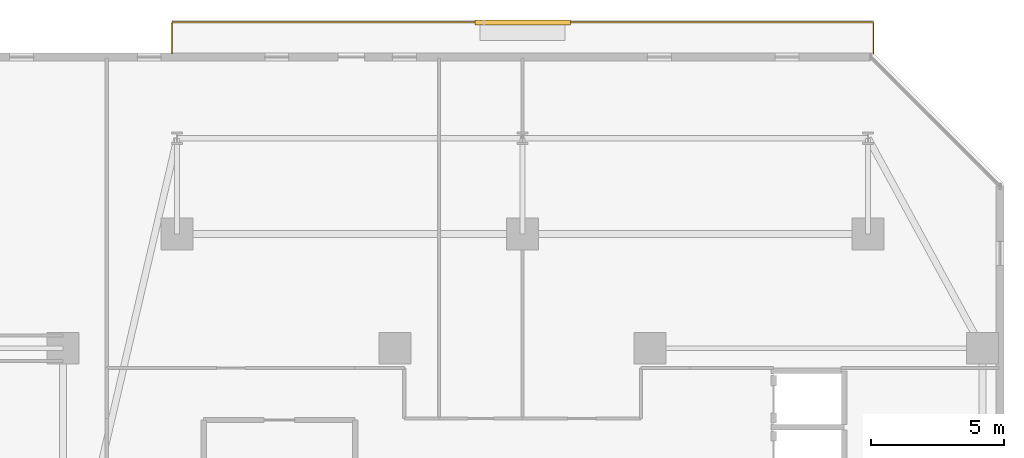
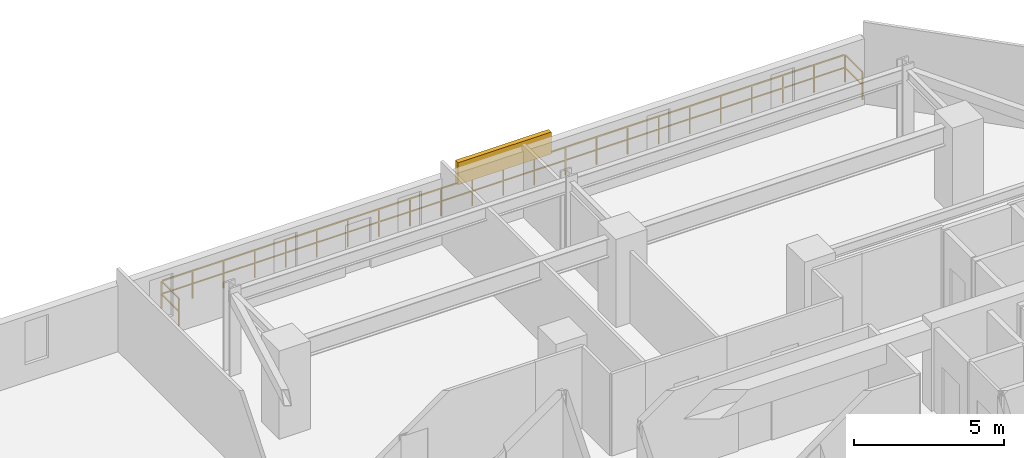
# One storey, part 31 of 31: 1 railing, 1 shading device.
"""IFC4 building model written with IfcOpenShell, lengths in metres."""

from ifc_helpers import new_model, si_unit, direction, frame, origin, origin_2d, place, context, subcontext, project, spatial, rectangle, extrude, material, type_object, element, save


model = new_model("IFC4")

# Units and contexts
model_context = context("Model", 3, precision=1e-05, world=origin(), true_north=direction((0.0, 1.0)))
body_context = subcontext(model_context, "Body", "Model", "MODEL_VIEW")
ifc_project = project(units=[si_unit("LENGTHUNIT", "METRE"), si_unit("AREAUNIT", "SQUARE_METRE"), si_unit("VOLUMEUNIT", "CUBIC_METRE"), si_unit("PLANEANGLEUNIT", "RADIAN"), si_unit("MASSUNIT", "GRAM", prefix="KILO")], contexts=[model_context])

# Site, building, storey
site_placement = place(None, origin())
site = spatial("IfcSite", under=ifc_project, at=site_placement, CompositionType="ELEMENT")
building_placement = place(site_placement, origin())
building = spatial("IfcBuilding", under=site, at=building_placement, Name="Thornwick Lancets Civic Towers", CompositionType="ELEMENT")
storey_placement = place(building_placement, frame((0.0, 0.0, 90.89990234375)))
storey = spatial("IfcBuildingStorey", under=building, at=storey_placement, Name="L23", CompositionType="ELEMENT", Elevation=90.89990234375)

# Railing
ifc_material_1 = material(Name="Terracotta-capped laminated glass balustrade S355", Category="masonry")
railing_type = type_object("IfcRailingType", Name="RAIL_TERR_GUARD", PredefinedType="GUARDRAIL", material=ifc_material_1)
railing_placement = place(storey_placement, frame((75.300048828125, 51.10009765625, 0.0)))
element("IfcRailing", 1, at=railing_placement, inside=storey, type_object=railing_type, Name="L23 Tower B Balcony Guard N", PredefinedType="GUARDRAIL", context=body_context, shape_type="SweptSolid", body=[
    extrude(rectangle(XDim=0.048095703125, YDim=0.048095703125, at=origin_2d()), frame((0.0, 0.0, 1.1259765625), z_axis=(0.0, 1.0, 0.0), x_axis=(-1.0, 0.0, 0.0)), (0.0, 0.0, 1.0), 1.138671875),
    extrude(rectangle(XDim=0.0419921875, YDim=0.0419921875, at=origin_2d()), frame((0.0, 0.03759765625, 0.597900390625), z_axis=(0.0, 1.0, 0.0), x_axis=(-1.0, 0.0, 0.0)), (0.0, 0.0, 1.0), 1.094970703125),
    extrude(rectangle(XDim=0.048095703125, YDim=0.048095703125, at=origin_2d()), frame((0.03125, 1.169921875, 1.1259765625), z_axis=(1.0, 0.0, 0.0), x_axis=(0.0, 1.0, 0.0)), (0.0, 0.0, 1.0), 26.33740234375),
    extrude(rectangle(XDim=0.0419921875, YDim=0.0419921875, at=origin_2d()), frame((0.03759765625, 1.169921875, 0.597900390625), z_axis=(1.0, 0.0, 0.0), x_axis=(0.0, 1.0, 0.0)), (0.0, 0.0, 1.0), 1.125),
    extrude(rectangle(XDim=0.0419921875, YDim=0.0419921875, at=origin_2d()), frame((1.237548828125, 1.169921875, 0.597900390625), z_axis=(1.0, 0.0, 0.0), x_axis=(0.0, 1.0, 0.0)), (0.0, 0.0, 1.0), 1.125),
    extrude(rectangle(XDim=0.0419921875, YDim=0.0419921875, at=origin_2d()), frame((2.4375, 1.169921875, 0.597900390625), z_axis=(1.0, 0.0, 0.0), x_axis=(0.0, 1.0, 0.0)), (0.0, 0.0, 1.0), 1.125),
    extrude(rectangle(XDim=0.0419921875, YDim=0.0419921875, at=origin_2d()), frame((3.637451171875, 1.169921875, 0.597900390625), z_axis=(1.0, 0.0, 0.0), x_axis=(0.0, 1.0, 0.0)), (0.0, 0.0, 1.0), 1.125),
    extrude(rectangle(XDim=0.0419921875, YDim=0.0419921875, at=origin_2d()), frame((4.83740234375, 1.169921875, 0.597900390625), z_axis=(1.0, 0.0, 0.0), x_axis=(0.0, 1.0, 0.0)), (0.0, 0.0, 1.0), 1.125),
    extrude(rectangle(XDim=0.0419921875, YDim=0.0419921875, at=origin_2d()), frame((6.037353515625, 1.169921875, 0.597900390625), z_axis=(1.0, 0.0, 0.0), x_axis=(0.0, 1.0, 0.0)), (0.0, 0.0, 1.0), 1.125),
    extrude(rectangle(XDim=0.0419921875, YDim=0.0419921875, at=origin_2d()), frame((7.237548828125, 1.169921875, 0.597900390625), z_axis=(1.0, 0.0, 0.0), x_axis=(0.0, 1.0, 0.0)), (0.0, 0.0, 1.0), 1.125),
    extrude(rectangle(XDim=0.0419921875, YDim=0.0419921875, at=origin_2d()), frame((8.4375, 1.169921875, 0.597900390625), z_axis=(1.0, 0.0, 0.0), x_axis=(0.0, 1.0, 0.0)), (0.0, 0.0, 1.0), 1.125),
    extrude(rectangle(XDim=0.0419921875, YDim=0.0419921875, at=origin_2d()), frame((9.637451171875, 1.169921875, 0.597900390625), z_axis=(1.0, 0.0, 0.0), x_axis=(0.0, 1.0, 0.0)), (0.0, 0.0, 1.0), 1.125),
    extrude(rectangle(XDim=0.0419921875, YDim=0.0419921875, at=origin_2d()), frame((10.83740234375, 1.169921875, 0.597900390625), z_axis=(1.0, 0.0, 0.0), x_axis=(0.0, 1.0, 0.0)), (0.0, 0.0, 1.0), 1.125),
    extrude(rectangle(XDim=0.0419921875, YDim=0.0419921875, at=origin_2d()), frame((12.037353515625, 1.169921875, 0.597900390625), z_axis=(1.0, 0.0, 0.0), x_axis=(0.0, 1.0, 0.0)), (0.0, 0.0, 1.0), 1.125),
    extrude(rectangle(XDim=0.0419921875, YDim=0.0419921875, at=origin_2d()), frame((13.237548828125, 1.169921875, 0.597900390625), z_axis=(1.0, 0.0, 0.0), x_axis=(0.0, 1.0, 0.0)), (0.0, 0.0, 1.0), 1.125),
    extrude(rectangle(XDim=0.0419921875, YDim=0.0419921875, at=origin_2d()), frame((14.4375, 1.169921875, 0.597900390625), z_axis=(1.0, 0.0, 0.0), x_axis=(0.0, 1.0, 0.0)), (0.0, 0.0, 1.0), 1.125),
    extrude(rectangle(XDim=0.0419921875, YDim=0.0419921875, at=origin_2d()), frame((15.637451171875, 1.169921875, 0.597900390625), z_axis=(1.0, 0.0, 0.0), x_axis=(0.0, 1.0, 0.0)), (0.0, 0.0, 1.0), 1.125),
    extrude(rectangle(XDim=0.0419921875, YDim=0.0419921875, at=origin_2d()), frame((16.83740234375, 1.169921875, 0.597900390625), z_axis=(1.0, 0.0, 0.0), x_axis=(0.0, 1.0, 0.0)), (0.0, 0.0, 1.0), 1.125),
    extrude(rectangle(XDim=0.0419921875, YDim=0.0419921875, at=origin_2d()), frame((18.037353515625, 1.169921875, 0.597900390625), z_axis=(1.0, 0.0, 0.0), x_axis=(0.0, 1.0, 0.0)), (0.0, 0.0, 1.0), 1.125),
    extrude(rectangle(XDim=0.0419921875, YDim=0.0419921875, at=origin_2d()), frame((19.2373046875, 1.169921875, 0.597900390625), z_axis=(1.0, 0.0, 0.0), x_axis=(0.0, 1.0, 0.0)), (0.0, 0.0, 1.0), 1.125),
    extrude(rectangle(XDim=0.0419921875, YDim=0.0419921875, at=origin_2d()), frame((20.4375, 1.169921875, 0.597900390625), z_axis=(1.0, 0.0, 0.0), x_axis=(0.0, 1.0, 0.0)), (0.0, 0.0, 1.0), 1.125),
    extrude(rectangle(XDim=0.0419921875, YDim=0.0419921875, at=origin_2d()), frame((21.637451171875, 1.169921875, 0.597900390625), z_axis=(1.0, 0.0, 0.0), x_axis=(0.0, 1.0, 0.0)), (0.0, 0.0, 1.0), 1.125),
    extrude(rectangle(XDim=0.0419921875, YDim=0.0419921875, at=origin_2d()), frame((22.83740234375, 1.169921875, 0.597900390625), z_axis=(1.0, 0.0, 0.0), x_axis=(0.0, 1.0, 0.0)), (0.0, 0.0, 1.0), 1.125),
    extrude(rectangle(XDim=0.0419921875, YDim=0.0419921875, at=origin_2d()), frame((24.037353515625, 1.169921875, 0.597900390625), z_axis=(1.0, 0.0, 0.0), x_axis=(0.0, 1.0, 0.0)), (0.0, 0.0, 1.0), 1.125),
    extrude(rectangle(XDim=0.0419921875, YDim=0.0419921875, at=origin_2d()), frame((25.2373046875, 1.169921875, 0.597900390625), z_axis=(1.0, 0.0, 0.0), x_axis=(0.0, 1.0, 0.0)), (0.0, 0.0, 1.0), 1.125),
    extrude(rectangle(XDim=0.048095703125, YDim=0.048095703125, at=origin_2d()), frame((26.39990234375, 1.138671875, 1.1259765625), z_axis=(0.0, -1.0, 0.0), x_axis=(1.0, 0.0, 0.0)), (0.0, 0.0, 1.0), 1.138671875),
    extrude(rectangle(XDim=0.0419921875, YDim=0.0419921875, at=origin_2d()), frame((26.39990234375, 1.13232421875, 0.597900390625), z_axis=(0.0, -1.0, 0.0), x_axis=(1.0, 0.0, 0.0)), (0.0, 0.0, 1.0), 1.094970703125),
    extrude(rectangle(XDim=0.0419921875, YDim=0.0419921875, at=origin_2d()), origin(), (0.0, 0.0, 1.0), 1.095703125),
    extrude(rectangle(XDim=0.0419921875, YDim=0.0419921875, at=origin_2d()), frame((0.0, 1.169921875, 0.0)), (0.0, 0.0, 1.0), 1.095703125),
    extrude(rectangle(XDim=0.0419921875, YDim=0.0419921875, at=origin_2d()), frame((1.199951171875, 1.169921875, 0.0)), (0.0, 0.0, 1.0), 1.095703125),
    extrude(rectangle(XDim=0.0419921875, YDim=0.0419921875, at=origin_2d()), frame((2.39990234375, 1.169921875, 0.0)), (0.0, 0.0, 1.0), 1.095703125),
    extrude(rectangle(XDim=0.0419921875, YDim=0.0419921875, at=origin_2d()), frame((3.60009765625, 1.169921875, 0.0)), (0.0, 0.0, 1.0), 1.095703125),
    extrude(rectangle(XDim=0.0419921875, YDim=0.0419921875, at=origin_2d()), frame((4.800048828125, 1.169921875, 0.0)), (0.0, 0.0, 1.0), 1.095703125),
    extrude(rectangle(XDim=0.0419921875, YDim=0.0419921875, at=origin_2d()), frame((6.0, 1.169921875, 0.0)), (0.0, 0.0, 1.0), 1.095703125),
    extrude(rectangle(XDim=0.0419921875, YDim=0.0419921875, at=origin_2d()), frame((7.199951171875, 1.169921875, 0.0)), (0.0, 0.0, 1.0), 1.095703125),
    extrude(rectangle(XDim=0.0419921875, YDim=0.0419921875, at=origin_2d()), frame((8.39990234375, 1.169921875, 0.0)), (0.0, 0.0, 1.0), 1.095703125),
    extrude(rectangle(XDim=0.0419921875, YDim=0.0419921875, at=origin_2d()), frame((9.599853515625, 1.169921875, 0.0)), (0.0, 0.0, 1.0), 1.095703125),
    extrude(rectangle(XDim=0.0419921875, YDim=0.0419921875, at=origin_2d()), frame((10.800048828125, 1.169921875, 0.0)), (0.0, 0.0, 1.0), 1.095703125),
    extrude(rectangle(XDim=0.0419921875, YDim=0.0419921875, at=origin_2d()), frame((12.0, 1.169921875, 0.0)), (0.0, 0.0, 1.0), 1.095703125),
    extrude(rectangle(XDim=0.0419921875, YDim=0.0419921875, at=origin_2d()), frame((13.199951171875, 1.169921875, 0.0)), (0.0, 0.0, 1.0), 1.095703125),
    extrude(rectangle(XDim=0.0419921875, YDim=0.0419921875, at=origin_2d()), frame((14.39990234375, 1.169921875, 0.0)), (0.0, 0.0, 1.0), 1.095703125),
    extrude(rectangle(XDim=0.0419921875, YDim=0.0419921875, at=origin_2d()), frame((15.599853515625, 1.169921875, 0.0)), (0.0, 0.0, 1.0), 1.095703125),
    extrude(rectangle(XDim=0.0419921875, YDim=0.0419921875, at=origin_2d()), frame((16.800048828125, 1.169921875, 0.0)), (0.0, 0.0, 1.0), 1.095703125),
    extrude(rectangle(XDim=0.0419921875, YDim=0.0419921875, at=origin_2d()), frame((18.0, 1.169921875, 0.0)), (0.0, 0.0, 1.0), 1.095703125),
    extrude(rectangle(XDim=0.0419921875, YDim=0.0419921875, at=origin_2d()), frame((19.199951171875, 1.169921875, 0.0)), (0.0, 0.0, 1.0), 1.095703125),
    extrude(rectangle(XDim=0.0419921875, YDim=0.0419921875, at=origin_2d()), frame((20.39990234375, 1.169921875, 0.0)), (0.0, 0.0, 1.0), 1.095703125),
    extrude(rectangle(XDim=0.0419921875, YDim=0.0419921875, at=origin_2d()), frame((21.599853515625, 1.169921875, 0.0)), (0.0, 0.0, 1.0), 1.095703125),
    extrude(rectangle(XDim=0.0419921875, YDim=0.0419921875, at=origin_2d()), frame((22.7998046875, 1.169921875, 0.0)), (0.0, 0.0, 1.0), 1.095703125),
    extrude(rectangle(XDim=0.0419921875, YDim=0.0419921875, at=origin_2d()), frame((24.0, 1.169921875, 0.0)), (0.0, 0.0, 1.0), 1.095703125),
    extrude(rectangle(XDim=0.0419921875, YDim=0.0419921875, at=origin_2d()), frame((25.199951171875, 1.169921875, 0.0)), (0.0, 0.0, 1.0), 1.095703125),
    extrude(rectangle(XDim=0.0419921875, YDim=0.0419921875, at=origin_2d()), frame((26.39990234375, 1.169921875, 0.0)), (0.0, 0.0, 1.0), 1.095703125),
    extrude(rectangle(XDim=0.0419921875, YDim=0.0419921875, at=origin_2d()), frame((26.39990234375, 0.0, 0.0)), (0.0, 0.0, 1.0), 1.095703125),
])

# Shading device
ifc_material_2 = material(Name="Extruded terracotta baguette solar screen", Category="masonry")
shading_device_type = type_object("IfcShadingDeviceType", Name="SHADE_BAGUETTE", PredefinedType="JALOUSIE", material=ifc_material_2)
shading_device_placement = place(storey_placement, frame((88.5, 52.260009765625, 1.1201171875), z_axis=(0.0, 0.0, 1.0), x_axis=(1.0, 0.0, 0.0)))
element("IfcShadingDevice", 2, at=shading_device_placement, inside=storey, type_object=shading_device_type, Name="L23 Tower B Terracotta Baguette Screen N", PredefinedType="JALOUSIE", context=body_context, shape_type="SweptSolid", body=[
    extrude(rectangle(XDim=3.60009765625, YDim=0.179931640625, at=origin_2d()), origin(), (0.0, 0.0, 1.0), 0.89990234375),
])

save(model, "model.ifc")
